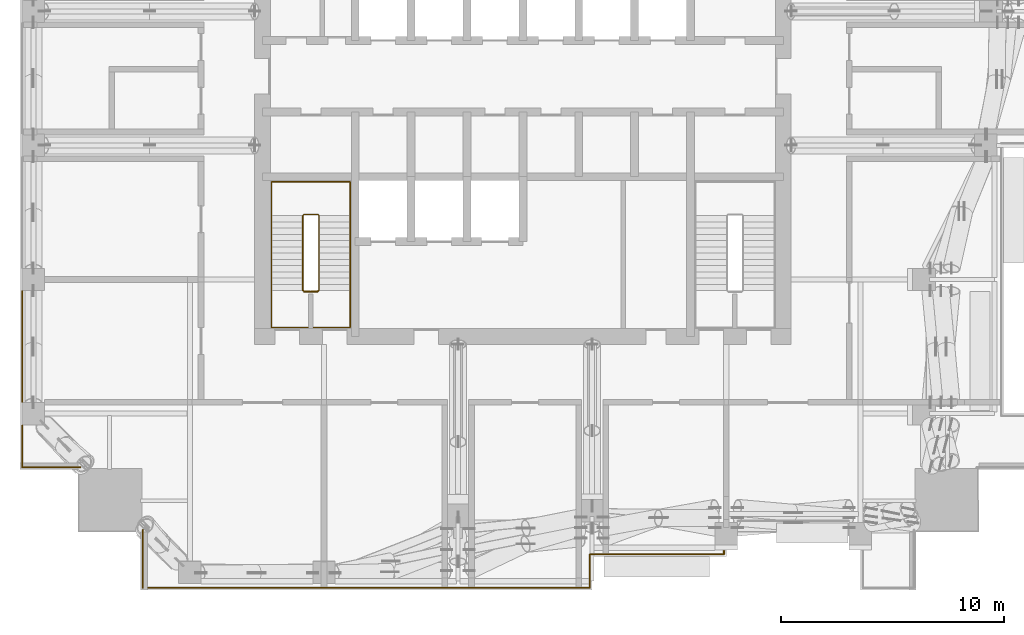
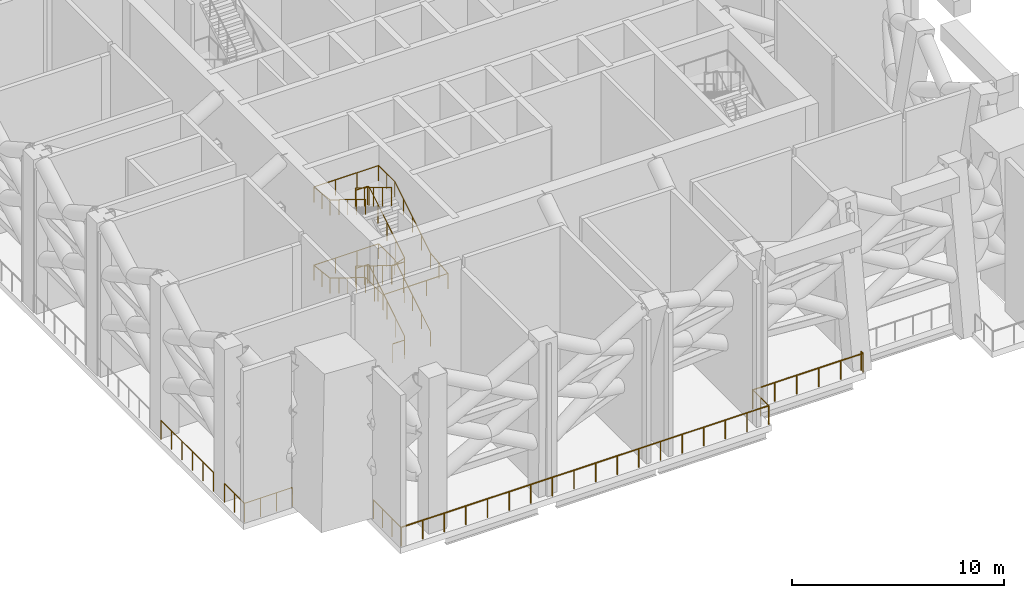
# One storey, part 15 of 18: 10 railings.
"""IFC4 building model written with IfcOpenShell, lengths in metres."""

from ifc_helpers import new_model, si_unit, direction, frame, origin, origin_2d, place, context, subcontext, project, spatial, circle, extrude, material, type_object, element, save


model = new_model("IFC4")

# Units and contexts
model_context = context("Model", 3, precision=1e-05, world=origin(), true_north=direction((0.0, 1.0)))
body_context = subcontext(model_context, "Body", "Model", "MODEL_VIEW")
ifc_project = project(units=[si_unit("LENGTHUNIT", "METRE"), si_unit("AREAUNIT", "SQUARE_METRE"), si_unit("VOLUMEUNIT", "CUBIC_METRE"), si_unit("PLANEANGLEUNIT", "RADIAN"), si_unit("MASSUNIT", "GRAM", prefix="KILO")], contexts=[model_context])

# Site, building, storey
site_placement = place(None, origin())
site = spatial("IfcSite", under=ifc_project, at=site_placement, CompositionType="ELEMENT")
building_placement = place(site_placement, origin())
building = spatial("IfcBuilding", under=site, at=building_placement, Name="Amberfall Residences", CompositionType="ELEMENT")
storey_placement = place(building_placement, frame((0.0, 0.0, 178.0)))
storey = spatial("IfcBuildingStorey", under=building, at=storey_placement, Name="L48", CompositionType="ELEMENT", Elevation=178.0)

# Railings
ifc_material_1 = material(Name="Bronze anodised aluminium and laminated glass", Category="aluminium")
railing_type_1 = type_object("IfcRailingType", Name="Refuge edge guard 1100", PredefinedType="GUARDRAIL", material=ifc_material_1)
railing_1_placement = place(storey_placement, frame((83.5, 24.27001953125, 0.0)))
element("IfcRailing", 1, at=railing_1_placement, inside=storey, type_object=railing_type_1, Name="Refuge edge guard L48 4", PredefinedType="GUARDRAIL", context=body_context, shape_type="SweptSolid", body=[
    extrude(circle(Radius=0.02392578125, at=origin_2d()), frame((0.0, 0.0, 1.076171875), z_axis=(0.0, -1.0, 0.0), x_axis=(1.0, 0.0, 0.0)), (0.0, 0.0, 1.0), 0.169921875),
    extrude(circle(Radius=0.02099609375, at=origin_2d()), origin(), (0.0, 0.0, 1.0), 1.052001953125),
    extrude(circle(Radius=0.02099609375, at=origin_2d()), frame((0.0, -0.169921875, 0.0)), (0.0, 0.0, 1.0), 1.052001953125),
])
railing_2_placement = place(storey_placement, frame((83.5, 24.10009765625, 0.0)))
element("IfcRailing", 2, at=railing_2_placement, inside=storey, type_object=railing_type_1, Name="Refuge edge guard L48 5", PredefinedType="GUARDRAIL", context=body_context, shape_type="SweptSolid", body=[
    extrude(circle(Radius=0.02392578125, at=origin_2d()), frame((0.0, 0.0, 1.076171875), z_axis=(-1.0, 0.0, 0.0), x_axis=(0.0, -1.0, 0.0)), (0.0, 0.0, 1.0), 6.0),
    extrude(circle(Radius=0.02099609375, at=origin_2d()), origin(), (0.0, 0.0, 1.0), 1.052001953125),
    extrude(circle(Radius=0.02099609375, at=origin_2d()), frame((-1.199951171875, 0.0, 0.0)), (0.0, 0.0, 1.0), 1.052001953125),
    extrude(circle(Radius=0.02099609375, at=origin_2d()), frame((-2.39990234375, 0.0, 0.0)), (0.0, 0.0, 1.0), 1.052001953125),
    extrude(circle(Radius=0.02099609375, at=origin_2d()), frame((-3.60009765625, 0.0, 0.0)), (0.0, 0.0, 1.0), 1.052001953125),
    extrude(circle(Radius=0.02099609375, at=origin_2d()), frame((-4.800048828125, 0.0, 0.0)), (0.0, 0.0, 1.0), 1.052001953125),
    extrude(circle(Radius=0.02099609375, at=origin_2d()), frame((-6.0, 0.0, 0.0)), (0.0, 0.0, 1.0), 1.052001953125),
])
railing_3_placement = place(storey_placement, frame((77.5, 24.10009765625, 0.0)))
element("IfcRailing", 3, at=railing_3_placement, inside=storey, type_object=railing_type_1, Name="Refuge edge guard L48 6", PredefinedType="GUARDRAIL", context=body_context, shape_type="SweptSolid", body=[
    extrude(circle(Radius=0.02392578125, at=origin_2d()), frame((0.0, 0.0, 1.076171875), z_axis=(0.0, -1.0, 0.0), x_axis=(1.0, 0.0, 0.0)), (0.0, 0.0, 1.0), 1.5),
    extrude(circle(Radius=0.02099609375, at=origin_2d()), origin(), (0.0, 0.0, 1.0), 1.052001953125),
    extrude(circle(Radius=0.02099609375, at=origin_2d()), frame((0.0, -0.75, 0.0)), (0.0, 0.0, 1.0), 1.052001953125),
    extrude(circle(Radius=0.02099609375, at=origin_2d()), frame((0.0, -1.5, 0.0)), (0.0, 0.0, 1.0), 1.052001953125),
])
railing_4_placement = place(storey_placement, frame((77.5, 22.60009765625, 0.0)))
element("IfcRailing", 4, at=railing_4_placement, inside=storey, type_object=railing_type_1, Name="Refuge edge guard L48 7", PredefinedType="GUARDRAIL", context=body_context, shape_type="SweptSolid", body=[
    extrude(circle(Radius=0.02392578125, at=origin_2d()), frame((0.0, 0.0, 1.076171875), z_axis=(-1.0, 0.0, 0.0), x_axis=(0.0, -1.0, 0.0)), (0.0, 0.0, 1.0), 20.0),
    extrude(circle(Radius=0.02099609375, at=origin_2d()), origin(), (0.0, 0.0, 1.0), 1.052001953125),
    extrude(circle(Radius=0.02099609375, at=origin_2d()), frame((-1.176513671875, 0.0, 0.0)), (0.0, 0.0, 1.0), 1.052001953125),
    extrude(circle(Radius=0.02099609375, at=origin_2d()), frame((-2.35302734375, 0.0, 0.0)), (0.0, 0.0, 1.0), 1.052001953125),
    extrude(circle(Radius=0.02099609375, at=origin_2d()), frame((-3.529296875, 0.0, 0.0)), (0.0, 0.0, 1.0), 1.052001953125),
    extrude(circle(Radius=0.02099609375, at=origin_2d()), frame((-4.705810546875, 0.0, 0.0)), (0.0, 0.0, 1.0), 1.052001953125),
    extrude(circle(Radius=0.02099609375, at=origin_2d()), frame((-5.88232421875, 0.0, 0.0)), (0.0, 0.0, 1.0), 1.052001953125),
    extrude(circle(Radius=0.02099609375, at=origin_2d()), frame((-7.058837890625, 0.0, 0.0)), (0.0, 0.0, 1.0), 1.052001953125),
    extrude(circle(Radius=0.02099609375, at=origin_2d()), frame((-8.2353515625, 0.0, 0.0)), (0.0, 0.0, 1.0), 1.052001953125),
    extrude(circle(Radius=0.02099609375, at=origin_2d()), frame((-9.411865234375, 0.0, 0.0)), (0.0, 0.0, 1.0), 1.052001953125),
    extrude(circle(Radius=0.02099609375, at=origin_2d()), frame((-10.588134765625, 0.0, 0.0)), (0.0, 0.0, 1.0), 1.052001953125),
    extrude(circle(Radius=0.02099609375, at=origin_2d()), frame((-11.7646484375, 0.0, 0.0)), (0.0, 0.0, 1.0), 1.052001953125),
    extrude(circle(Radius=0.02099609375, at=origin_2d()), frame((-12.941162109375, 0.0, 0.0)), (0.0, 0.0, 1.0), 1.052001953125),
    extrude(circle(Radius=0.02099609375, at=origin_2d()), frame((-14.11767578125, 0.0, 0.0)), (0.0, 0.0, 1.0), 1.052001953125),
    extrude(circle(Radius=0.02099609375, at=origin_2d()), frame((-15.294189453125, 0.0, 0.0)), (0.0, 0.0, 1.0), 1.052001953125),
    extrude(circle(Radius=0.02099609375, at=origin_2d()), frame((-16.470703125, 0.0, 0.0)), (0.0, 0.0, 1.0), 1.052001953125),
    extrude(circle(Radius=0.02099609375, at=origin_2d()), frame((-17.64697265625, 0.0, 0.0)), (0.0, 0.0, 1.0), 1.052001953125),
    extrude(circle(Radius=0.02099609375, at=origin_2d()), frame((-18.823486328125, 0.0, 0.0)), (0.0, 0.0, 1.0), 1.052001953125),
    extrude(circle(Radius=0.02099609375, at=origin_2d()), frame((-20.0, 0.0, 0.0)), (0.0, 0.0, 1.0), 1.052001953125),
])
railing_5_placement = place(storey_placement, frame((57.5, 22.60009765625, 0.0)))
element("IfcRailing", 5, at=railing_5_placement, inside=storey, type_object=railing_type_1, Name="Refuge edge guard L48 8", PredefinedType="GUARDRAIL", context=body_context, shape_type="SweptSolid", body=[
    extrude(circle(Radius=0.02392578125, at=origin_2d()), frame((0.0, 0.0, 1.076171875), z_axis=(0.0, 1.0, 0.0), x_axis=(-1.0, 0.0, 0.0)), (0.0, 0.0, 1.0), 2.608154296875),
    extrude(circle(Radius=0.02099609375, at=origin_2d()), origin(), (0.0, 0.0, 1.0), 1.052001953125),
    extrude(circle(Radius=0.02099609375, at=origin_2d()), frame((0.0, 0.869384765625, 0.0)), (0.0, 0.0, 1.0), 1.052001953125),
    extrude(circle(Radius=0.02099609375, at=origin_2d()), frame((0.0, 1.73876953125, 0.0)), (0.0, 0.0, 1.0), 1.052001953125),
    extrude(circle(Radius=0.02099609375, at=origin_2d()), frame((0.0, 2.608154296875, 0.0)), (0.0, 0.0, 1.0), 1.052001953125),
])
railing_6_placement = place(storey_placement, frame((54.708251953125, 28.0, 0.0)))
element("IfcRailing", 6, at=railing_6_placement, inside=storey, type_object=railing_type_1, Name="Refuge edge guard L48 9", PredefinedType="GUARDRAIL", context=body_context, shape_type="SweptSolid", body=[
    extrude(circle(Radius=0.02392578125, at=origin_2d()), frame((0.0, 0.0, 1.076171875), z_axis=(-1.0, 0.0, 0.0), x_axis=(0.0, -1.0, 0.0)), (0.0, 0.0, 1.0), 2.608154296875),
    extrude(circle(Radius=0.02099609375, at=origin_2d()), origin(), (0.0, 0.0, 1.0), 1.052001953125),
    extrude(circle(Radius=0.02099609375, at=origin_2d()), frame((-0.869384765625, 0.0, 0.0)), (0.0, 0.0, 1.0), 1.052001953125),
    extrude(circle(Radius=0.02099609375, at=origin_2d()), frame((-1.73876953125, 0.0, 0.0)), (0.0, 0.0, 1.0), 1.052001953125),
    extrude(circle(Radius=0.02099609375, at=origin_2d()), frame((-2.608154296875, 0.0, 0.0)), (0.0, 0.0, 1.0), 1.052001953125),
])
railing_7_placement = place(storey_placement, frame((52.10009765625, 28.0, 0.0)))
element("IfcRailing", 7, at=railing_7_placement, inside=storey, type_object=railing_type_1, Name="Refuge edge guard L48 10", PredefinedType="GUARDRAIL", context=body_context, shape_type="SweptSolid", body=[
    extrude(circle(Radius=0.02392578125, at=origin_2d()), frame((0.0, 0.0, 1.076171875), z_axis=(0.0, 1.0, 0.0), x_axis=(-1.0, 0.0, 0.0)), (0.0, 0.0, 1.0), 1.8701171875),
    extrude(circle(Radius=0.02099609375, at=origin_2d()), origin(), (0.0, 0.0, 1.0), 1.052001953125),
    extrude(circle(Radius=0.02099609375, at=origin_2d()), frame((0.0, 0.93505859375, 0.0)), (0.0, 0.0, 1.0), 1.052001953125),
    extrude(circle(Radius=0.02099609375, at=origin_2d()), frame((0.0, 1.8701171875, 0.0)), (0.0, 0.0, 1.0), 1.052001953125),
])
railing_8_placement = place(storey_placement, frame((52.10009765625, 30.929931640625, 0.0)))
element("IfcRailing", 8, at=railing_8_placement, inside=storey, type_object=railing_type_1, Name="Refuge edge guard L48 11", PredefinedType="GUARDRAIL", context=body_context, shape_type="SweptSolid", body=[
    extrude(circle(Radius=0.02392578125, at=origin_2d()), frame((0.0, 0.0, 1.076171875), z_axis=(0.0, 1.0, 0.0), x_axis=(-1.0, 0.0, 0.0)), (0.0, 0.0, 1.0), 4.940185546875),
    extrude(circle(Radius=0.02099609375, at=origin_2d()), origin(), (0.0, 0.0, 1.0), 1.052001953125),
    extrude(circle(Radius=0.02099609375, at=origin_2d()), frame((0.0, 0.988037109375, 0.0)), (0.0, 0.0, 1.0), 1.052001953125),
    extrude(circle(Radius=0.02099609375, at=origin_2d()), frame((0.0, 1.97607421875, 0.0)), (0.0, 0.0, 1.0), 1.052001953125),
    extrude(circle(Radius=0.02099609375, at=origin_2d()), frame((0.0, 2.964111328125, 0.0)), (0.0, 0.0, 1.0), 1.052001953125),
    extrude(circle(Radius=0.02099609375, at=origin_2d()), frame((0.0, 3.9521484375, 0.0)), (0.0, 0.0, 1.0), 1.052001953125),
    extrude(circle(Radius=0.02099609375, at=origin_2d()), frame((0.0, 4.940185546875, 0.0)), (0.0, 0.0, 1.0), 1.052001953125),
])
ifc_material_2 = material(Name="Stainless steel 316", Category="steel")
railing_type_2 = type_object("IfcRailingType", Name="Stair guard 1100", PredefinedType="GUARDRAIL", material=ifc_material_2)
railing_9_placement = place(storey_placement, frame((64.699951171875, 35.85009765625, 0.0)))
element("IfcRailing", 9, at=railing_9_placement, inside=storey, type_object=railing_type_2, Name="L48 stair 1 guard", PredefinedType="GUARDRAIL", context=body_context, shape_type="SweptSolid", body=[
    extrude(circle(Radius=0.02392578125, at=origin_2d()), frame((0.0, 0.0, 1.076171875), z_axis=(1.0, 0.0, 0.0), x_axis=(0.0, 1.0, 0.0)), (0.0, 0.0, 1.0), 0.625),
    extrude(circle(Radius=0.02392578125, at=origin_2d()), frame((0.625, 0.0, 1.076171875), z_axis=(0.267723051232, 0.266417085129, 0.925929967433), x_axis=(-0.705375805398, 0.708833529934, 0.0)), (0.0, 0.0, 1.0), 0.18701171875),
    extrude(circle(Radius=0.02392578125, at=origin_2d()), frame((0.675048828125, 0.0498046875, 1.2490234375), z_axis=(0.0, 0.850623216509, 0.525775754039), x_axis=(-1.0, 0.0, 0.0)), (0.0, 0.0, 1.0), 3.9501953125),
    extrude(circle(Radius=0.02392578125, at=origin_2d()), frame((0.675048828125, 3.409912109375, 3.326171875), z_axis=(-0.707106781187, 0.707106781187, 0.0), x_axis=(-0.707106781187, -0.707106781187, 0.0)), (0.0, 0.0, 1.0), 0.07080078125),
    extrude(circle(Radius=0.02392578125, at=origin_2d()), frame((0.625, 3.4599609375, 3.326171875), z_axis=(-1.0, 0.0, 0.0), x_axis=(0.0, -1.0, 0.0)), (0.0, 0.0, 1.0), 0.625),
    extrude(circle(Radius=0.02392578125, at=origin_2d()), frame((0.0, 3.4599609375, 3.326171875), z_axis=(-0.267629722418, -0.267629722418, 0.925607186314), x_axis=(0.707106781187, -0.707106781187, 0.0)), (0.0, 0.0, 1.0), 0.18701171875),
    extrude(circle(Radius=0.02392578125, at=origin_2d()), frame((-0.050048828125, 3.409912109375, 3.4990234375), z_axis=(0.0, -0.850623216509, 0.525775754039), x_axis=(1.0, 0.0, 0.0)), (0.0, 0.0, 1.0), 3.9501953125),
    extrude(circle(Radius=0.02392578125, at=origin_2d()), frame((-0.050048828125, 0.0498046875, 5.576171875), z_axis=(0.997289362464, -0.073579396001, 0.0), x_axis=(0.073579396001, 0.997289362464, 0.0)), (0.0, 0.0, 1.0), 0.677001953125),
    extrude(circle(Radius=0.02392578125, at=origin_2d()), frame((0.625, 0.0, 5.576171875), z_axis=(-1.0, 0.0, 0.0), x_axis=(0.0, -1.0, 0.0)), (0.0, 0.0, 1.0), 0.625),
    extrude(circle(Radius=0.02392578125, at=origin_2d()), frame((0.0, 0.0, 5.576171875), z_axis=(0.966197387094, 0.071285449174, 0.247751879729), x_axis=(-0.073579396001, 0.997289362464, 0.0)), (0.0, 0.0, 1.0), 0.69873046875),
    extrude(circle(Radius=0.02392578125, at=origin_2d()), frame((0.675048828125, 0.0498046875, 5.7490234375), z_axis=(0.0, 0.850623216509, 0.525775754039), x_axis=(-1.0, 0.0, 0.0)), (0.0, 0.0, 1.0), 3.9501953125),
    extrude(circle(Radius=0.02392578125, at=origin_2d()), frame((0.675048828125, 3.409912109375, 7.826171875), z_axis=(-0.707106781187, 0.707106781187, 0.0), x_axis=(-0.707106781187, -0.707106781187, 0.0)), (0.0, 0.0, 1.0), 0.07080078125),
    extrude(circle(Radius=0.02392578125, at=origin_2d()), frame((0.625, 3.4599609375, 7.826171875), z_axis=(-1.0, 0.0, 0.0), x_axis=(0.0, -1.0, 0.0)), (0.0, 0.0, 1.0), 0.625),
    extrude(circle(Radius=0.02392578125, at=origin_2d()), frame((0.0, 3.4599609375, 7.826171875), z_axis=(-0.267629722418, -0.267629722418, 0.925607186314), x_axis=(0.707106781187, -0.707106781187, 0.0)), (0.0, 0.0, 1.0), 0.18701171875),
    extrude(circle(Radius=0.02392578125, at=origin_2d()), frame((-0.050048828125, 3.409912109375, 7.9990234375), z_axis=(0.0, -0.850623216509, 0.525775754039), x_axis=(1.0, 0.0, 0.0)), (0.0, 0.0, 1.0), 3.9501953125),
    extrude(circle(Radius=0.02099609375, at=origin_2d()), origin(), (0.0, 0.0, 1.0), 1.052001953125),
    extrude(circle(Radius=0.02099609375, at=origin_2d()), frame((0.625, 0.0, 0.0)), (0.0, 0.0, 1.0), 1.052001953125),
    extrude(circle(Radius=0.02099609375, at=origin_2d()), frame((0.675048828125, 0.0498046875, 0.173095703125)), (0.0, 0.0, 1.0), 1.052001953125),
    extrude(circle(Radius=0.02099609375, at=origin_2d()), frame((0.675048828125, 0.889892578125, 0.6923828125)), (0.0, 0.0, 1.0), 1.052001953125),
    extrude(circle(Radius=0.02099609375, at=origin_2d()), frame((0.675048828125, 1.72998046875, 1.21142578125)), (0.0, 0.0, 1.0), 1.052001953125),
    extrude(circle(Radius=0.02099609375, at=origin_2d()), frame((0.675048828125, 2.56982421875, 1.730712890625)), (0.0, 0.0, 1.0), 1.052001953125),
    extrude(circle(Radius=0.02099609375, at=origin_2d()), frame((0.675048828125, 3.409912109375, 2.25)), (0.0, 0.0, 1.0), 1.052001953125),
    extrude(circle(Radius=0.02099609375, at=origin_2d()), frame((0.625, 3.4599609375, 2.25)), (0.0, 0.0, 1.0), 1.052001953125),
    extrude(circle(Radius=0.02099609375, at=origin_2d()), frame((0.0, 3.4599609375, 2.25)), (0.0, 0.0, 1.0), 1.052001953125),
    extrude(circle(Radius=0.02099609375, at=origin_2d()), frame((-0.050048828125, 3.409912109375, 2.423095703125)), (0.0, 0.0, 1.0), 1.052001953125),
    extrude(circle(Radius=0.02099609375, at=origin_2d()), frame((-0.050048828125, 2.56982421875, 2.9423828125)), (0.0, 0.0, 1.0), 1.052001953125),
    extrude(circle(Radius=0.02099609375, at=origin_2d()), frame((-0.050048828125, 1.72998046875, 3.46142578125)), (0.0, 0.0, 1.0), 1.052001953125),
    extrude(circle(Radius=0.02099609375, at=origin_2d()), frame((-0.050048828125, 0.889892578125, 3.980712890625)), (0.0, 0.0, 1.0), 1.052001953125),
    extrude(circle(Radius=0.02099609375, at=origin_2d()), frame((-0.050048828125, 0.0498046875, 4.5)), (0.0, 0.0, 1.0), 1.052001953125),
    extrude(circle(Radius=0.02099609375, at=origin_2d()), frame((0.625, 0.0, 4.5)), (0.0, 0.0, 1.0), 1.052001953125),
    extrude(circle(Radius=0.02099609375, at=origin_2d()), frame((0.0, 0.0, 4.5)), (0.0, 0.0, 1.0), 1.052001953125),
    extrude(circle(Radius=0.02099609375, at=origin_2d()), frame((0.675048828125, 0.0498046875, 4.673095703125)), (0.0, 0.0, 1.0), 1.052001953125),
    extrude(circle(Radius=0.02099609375, at=origin_2d()), frame((0.675048828125, 0.889892578125, 5.1923828125)), (0.0, 0.0, 1.0), 1.052001953125),
    extrude(circle(Radius=0.02099609375, at=origin_2d()), frame((0.675048828125, 1.72998046875, 5.71142578125)), (0.0, 0.0, 1.0), 1.052001953125),
    extrude(circle(Radius=0.02099609375, at=origin_2d()), frame((0.675048828125, 2.56982421875, 6.230712890625)), (0.0, 0.0, 1.0), 1.052001953125),
    extrude(circle(Radius=0.02099609375, at=origin_2d()), frame((0.675048828125, 3.409912109375, 6.75)), (0.0, 0.0, 1.0), 1.052001953125),
    extrude(circle(Radius=0.02099609375, at=origin_2d()), frame((0.625, 3.4599609375, 6.75)), (0.0, 0.0, 1.0), 1.052001953125),
    extrude(circle(Radius=0.02099609375, at=origin_2d()), frame((0.0, 3.4599609375, 6.75)), (0.0, 0.0, 1.0), 1.052001953125),
    extrude(circle(Radius=0.02099609375, at=origin_2d()), frame((-0.050048828125, 3.409912109375, 6.923095703125)), (0.0, 0.0, 1.0), 1.052001953125),
    extrude(circle(Radius=0.02099609375, at=origin_2d()), frame((-0.050048828125, 2.56982421875, 7.4423828125)), (0.0, 0.0, 1.0), 1.052001953125),
    extrude(circle(Radius=0.02099609375, at=origin_2d()), frame((-0.050048828125, 1.72998046875, 7.96142578125)), (0.0, 0.0, 1.0), 1.052001953125),
    extrude(circle(Radius=0.02099609375, at=origin_2d()), frame((-0.050048828125, 0.889892578125, 8.480712890625)), (0.0, 0.0, 1.0), 1.052001953125),
    extrude(circle(Radius=0.02099609375, at=origin_2d()), frame((-0.050048828125, 0.0498046875, 9.0)), (0.0, 0.0, 1.0), 1.052001953125),
])
railing_type_3 = type_object("IfcRailingType", Name="Stair handrail 900", PredefinedType="HANDRAIL", material=ifc_material_2)
railing_10_placement = place(storey_placement, frame((66.77490234375, 35.89990234375, 0.173095703125)))
element("IfcRailing", 10, at=railing_10_placement, inside=storey, type_object=railing_type_3, Name="L48 stair 1 handrail", PredefinedType="HANDRAIL", context=body_context, shape_type="SweptSolid", body=[
    extrude(circle(Radius=0.02392578125, at=origin_2d()), frame((0.0, 0.0, 0.8759765625), z_axis=(0.0, 0.850623216509, 0.525775754039), x_axis=(-1.0, 0.0, 0.0)), (0.0, 0.0, 1.0), 3.9501953125),
    extrude(circle(Radius=0.02392578125, at=origin_2d()), frame((0.0, 3.360107421875, 2.95263671875), z_axis=(0.0, 1.0, 0.0), x_axis=(-1.0, 0.0, 0.0)), (0.0, 0.0, 1.0), 1.514892578125),
    extrude(circle(Radius=0.02392578125, at=origin_2d()), frame((0.0, 4.875, 2.95263671875), z_axis=(-1.0, 0.0, 0.0), x_axis=(0.0, -1.0, 0.0)), (0.0, 0.0, 1.0), 3.52490234375),
    extrude(circle(Radius=0.02392578125, at=origin_2d()), frame((-3.52490234375, 4.875, 2.95263671875), z_axis=(0.0, -0.993535252875, 0.113524011972), x_axis=(1.0, 0.0, 0.0)), (0.0, 0.0, 1.0), 1.524658203125),
    extrude(circle(Radius=0.02392578125, at=origin_2d()), frame((-3.52490234375, 3.360107421875, 3.1259765625), z_axis=(0.0, -0.850623216509, 0.525775754039), x_axis=(1.0, 0.0, 0.0)), (0.0, 0.0, 1.0), 3.9501953125),
    extrude(circle(Radius=0.02392578125, at=origin_2d()), frame((-3.52490234375, 0.0, 5.20263671875), z_axis=(0.0, -1.0, 0.0), x_axis=(1.0, 0.0, 0.0)), (0.0, 0.0, 1.0), 1.64990234375),
    extrude(circle(Radius=0.02392578125, at=origin_2d()), frame((-3.52490234375, -1.64990234375, 5.20263671875), z_axis=(1.0, 0.0, 0.0), x_axis=(0.0, 1.0, 0.0)), (0.0, 0.0, 1.0), 3.52490234375),
    extrude(circle(Radius=0.02392578125, at=origin_2d()), frame((0.0, -1.64990234375, 5.20263671875), z_axis=(0.0, 0.994541680457, 0.104340049045), x_axis=(-1.0, 0.0, 0.0)), (0.0, 0.0, 1.0), 1.658935546875),
    extrude(circle(Radius=0.02392578125, at=origin_2d()), frame((0.0, 0.0, 5.3759765625), z_axis=(0.0, 0.850623216509, 0.525775754039), x_axis=(-1.0, 0.0, 0.0)), (0.0, 0.0, 1.0), 3.9501953125),
    extrude(circle(Radius=0.02392578125, at=origin_2d()), frame((0.0, 3.360107421875, 7.45263671875), z_axis=(0.0, 1.0, 0.0), x_axis=(-1.0, 0.0, 0.0)), (0.0, 0.0, 1.0), 1.514892578125),
    extrude(circle(Radius=0.02392578125, at=origin_2d()), frame((0.0, 4.875, 7.45263671875), z_axis=(-1.0, 0.0, 0.0), x_axis=(0.0, -1.0, 0.0)), (0.0, 0.0, 1.0), 3.52490234375),
    extrude(circle(Radius=0.02392578125, at=origin_2d()), frame((-3.52490234375, 4.875, 7.45263671875), z_axis=(0.0, -0.993535252875, 0.113524011972), x_axis=(1.0, 0.0, 0.0)), (0.0, 0.0, 1.0), 1.524658203125),
    extrude(circle(Radius=0.02392578125, at=origin_2d()), frame((-3.52490234375, 3.360107421875, 7.6259765625), z_axis=(0.0, -0.850623216509, 0.525775754039), x_axis=(1.0, 0.0, 0.0)), (0.0, 0.0, 1.0), 3.9501953125),
    extrude(circle(Radius=0.02099609375, at=origin_2d()), origin(), (0.0, 0.0, 1.0), 0.851806640625),
    extrude(circle(Radius=0.02099609375, at=origin_2d()), frame((0.0, 0.840087890625, 0.519287109375)), (0.0, 0.0, 1.0), 0.851806640625),
    extrude(circle(Radius=0.02099609375, at=origin_2d()), frame((0.0, 1.68017578125, 1.03857421875)), (0.0, 0.0, 1.0), 0.851806640625),
    extrude(circle(Radius=0.02099609375, at=origin_2d()), frame((0.0, 2.52001953125, 1.5576171875)), (0.0, 0.0, 1.0), 0.851806640625),
    extrude(circle(Radius=0.02099609375, at=origin_2d()), frame((0.0, 3.360107421875, 2.076904296875)), (0.0, 0.0, 1.0), 0.851806640625),
    extrude(circle(Radius=0.02099609375, at=origin_2d()), frame((0.0, 4.11767578125, 2.076904296875)), (0.0, 0.0, 1.0), 0.851806640625),
    extrude(circle(Radius=0.02099609375, at=origin_2d()), frame((0.0, 4.875, 2.076904296875)), (0.0, 0.0, 1.0), 0.851806640625),
    extrude(circle(Radius=0.02099609375, at=origin_2d()), frame((-1.175048828125, 4.875, 2.076904296875)), (0.0, 0.0, 1.0), 0.851806640625),
    extrude(circle(Radius=0.02099609375, at=origin_2d()), frame((-2.349853515625, 4.875, 2.076904296875)), (0.0, 0.0, 1.0), 0.851806640625),
    extrude(circle(Radius=0.02099609375, at=origin_2d()), frame((-3.52490234375, 4.875, 2.076904296875)), (0.0, 0.0, 1.0), 0.851806640625),
    extrude(circle(Radius=0.02099609375, at=origin_2d()), frame((-3.52490234375, 4.11767578125, 2.16357421875)), (0.0, 0.0, 1.0), 0.851806640625),
    extrude(circle(Radius=0.02099609375, at=origin_2d()), frame((-3.52490234375, 3.360107421875, 2.25)), (0.0, 0.0, 1.0), 0.851806640625),
    extrude(circle(Radius=0.02099609375, at=origin_2d()), frame((-3.52490234375, 2.52001953125, 2.769287109375)), (0.0, 0.0, 1.0), 0.851806640625),
    extrude(circle(Radius=0.02099609375, at=origin_2d()), frame((-3.52490234375, 1.68017578125, 3.28857421875)), (0.0, 0.0, 1.0), 0.851806640625),
    extrude(circle(Radius=0.02099609375, at=origin_2d()), frame((-3.52490234375, 0.840087890625, 3.8076171875)), (0.0, 0.0, 1.0), 0.851806640625),
    extrude(circle(Radius=0.02099609375, at=origin_2d()), frame((-3.52490234375, 0.0, 4.326904296875)), (0.0, 0.0, 1.0), 0.851806640625),
    extrude(circle(Radius=0.02099609375, at=origin_2d()), frame((-3.52490234375, -0.824951171875, 4.326904296875)), (0.0, 0.0, 1.0), 0.851806640625),
    extrude(circle(Radius=0.02099609375, at=origin_2d()), frame((-3.52490234375, -1.64990234375, 4.326904296875)), (0.0, 0.0, 1.0), 0.851806640625),
    extrude(circle(Radius=0.02099609375, at=origin_2d()), frame((-2.349853515625, -1.64990234375, 4.326904296875)), (0.0, 0.0, 1.0), 0.851806640625),
    extrude(circle(Radius=0.02099609375, at=origin_2d()), frame((-1.175048828125, -1.64990234375, 4.326904296875)), (0.0, 0.0, 1.0), 0.851806640625),
    extrude(circle(Radius=0.02099609375, at=origin_2d()), frame((0.0, -1.64990234375, 4.326904296875)), (0.0, 0.0, 1.0), 0.851806640625),
    extrude(circle(Radius=0.02099609375, at=origin_2d()), frame((0.0, -0.824951171875, 4.41357421875)), (0.0, 0.0, 1.0), 0.851806640625),
    extrude(circle(Radius=0.02099609375, at=origin_2d()), frame((0.0, 0.0, 4.5)), (0.0, 0.0, 1.0), 0.851806640625),
    extrude(circle(Radius=0.02099609375, at=origin_2d()), frame((0.0, 0.840087890625, 5.019287109375)), (0.0, 0.0, 1.0), 0.851806640625),
    extrude(circle(Radius=0.02099609375, at=origin_2d()), frame((0.0, 1.68017578125, 5.53857421875)), (0.0, 0.0, 1.0), 0.851806640625),
    extrude(circle(Radius=0.02099609375, at=origin_2d()), frame((0.0, 2.52001953125, 6.0576171875)), (0.0, 0.0, 1.0), 0.851806640625),
    extrude(circle(Radius=0.02099609375, at=origin_2d()), frame((0.0, 3.360107421875, 6.576904296875)), (0.0, 0.0, 1.0), 0.851806640625),
    extrude(circle(Radius=0.02099609375, at=origin_2d()), frame((0.0, 4.11767578125, 6.576904296875)), (0.0, 0.0, 1.0), 0.851806640625),
    extrude(circle(Radius=0.02099609375, at=origin_2d()), frame((0.0, 4.875, 6.576904296875)), (0.0, 0.0, 1.0), 0.851806640625),
    extrude(circle(Radius=0.02099609375, at=origin_2d()), frame((-1.175048828125, 4.875, 6.576904296875)), (0.0, 0.0, 1.0), 0.851806640625),
    extrude(circle(Radius=0.02099609375, at=origin_2d()), frame((-2.349853515625, 4.875, 6.576904296875)), (0.0, 0.0, 1.0), 0.851806640625),
    extrude(circle(Radius=0.02099609375, at=origin_2d()), frame((-3.52490234375, 4.875, 6.576904296875)), (0.0, 0.0, 1.0), 0.851806640625),
    extrude(circle(Radius=0.02099609375, at=origin_2d()), frame((-3.52490234375, 4.11767578125, 6.66357421875)), (0.0, 0.0, 1.0), 0.851806640625),
    extrude(circle(Radius=0.02099609375, at=origin_2d()), frame((-3.52490234375, 3.360107421875, 6.75)), (0.0, 0.0, 1.0), 0.851806640625),
    extrude(circle(Radius=0.02099609375, at=origin_2d()), frame((-3.52490234375, 2.52001953125, 7.269287109375)), (0.0, 0.0, 1.0), 0.851806640625),
    extrude(circle(Radius=0.02099609375, at=origin_2d()), frame((-3.52490234375, 1.68017578125, 7.78857421875)), (0.0, 0.0, 1.0), 0.851806640625),
    extrude(circle(Radius=0.02099609375, at=origin_2d()), frame((-3.52490234375, 0.840087890625, 8.3076171875)), (0.0, 0.0, 1.0), 0.851806640625),
    extrude(circle(Radius=0.02099609375, at=origin_2d()), frame((-3.52490234375, 0.0, 8.826904296875)), (0.0, 0.0, 1.0), 0.851806640625),
])

save(model, "model.ifc")
